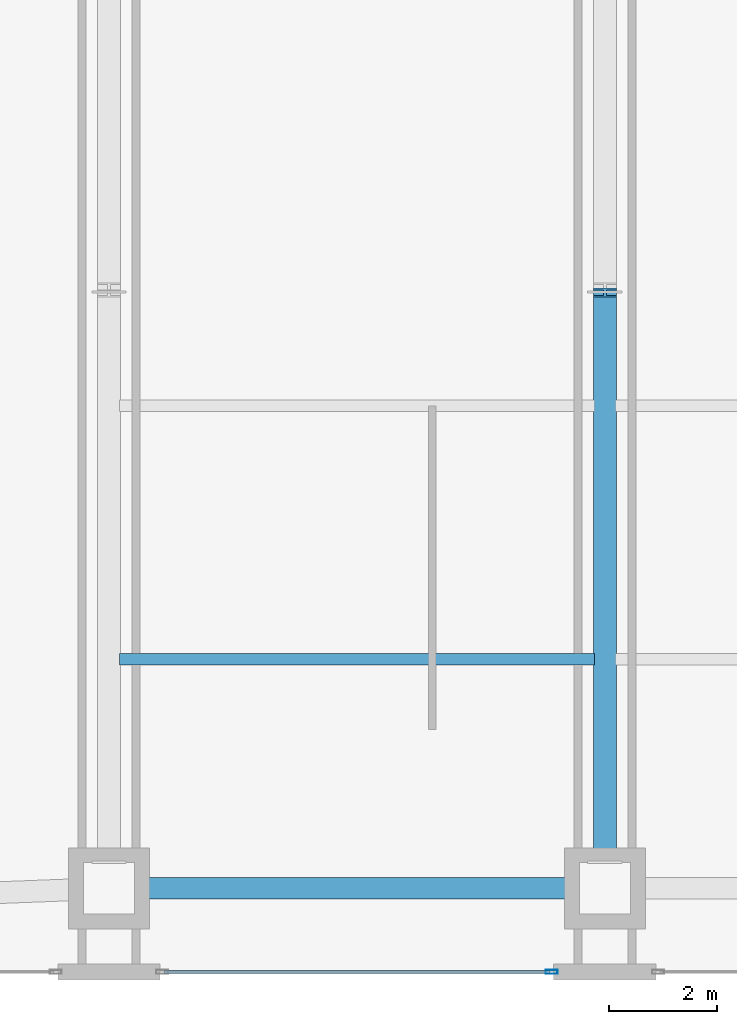
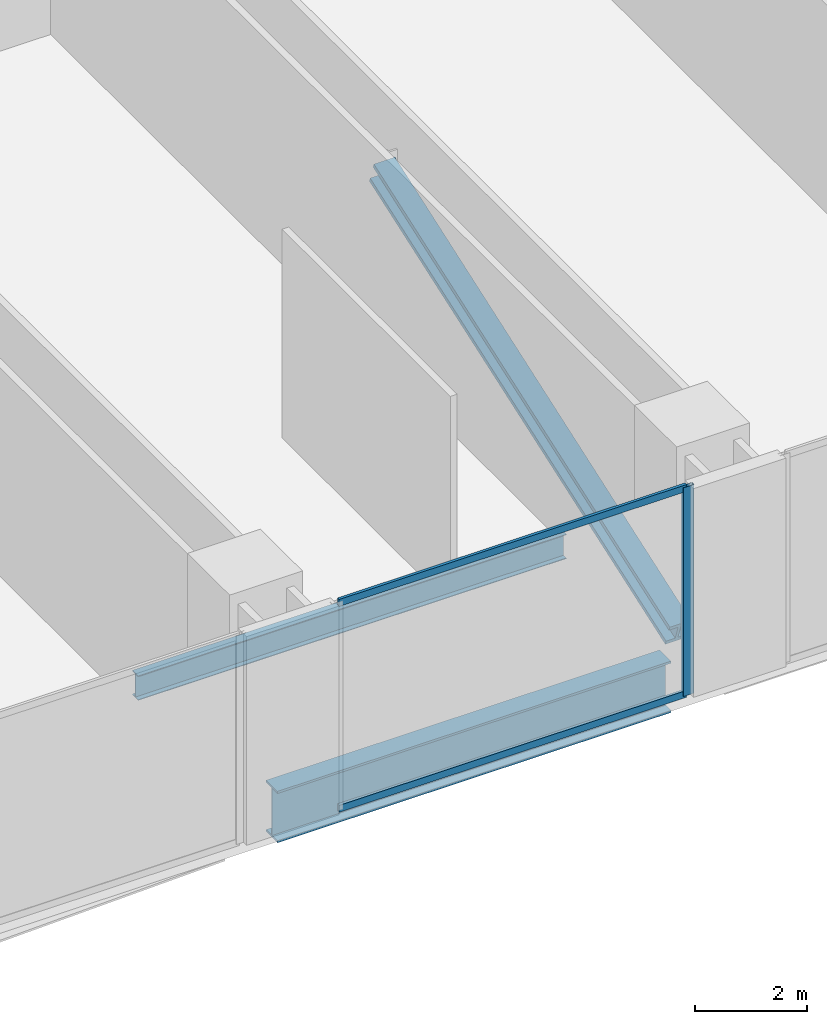
# One storey, part 5 of 33: 4 members, 2 beams, 1 element without a shape of its own.
"""IFC4 building model written with IfcOpenShell, lengths in metres."""

from ifc_helpers import new_model, si_unit, direction, frame, origin, origin_2d, place, context, subcontext, project, spatial, hollow_rectangle, i_section, extrude, material, layer, layer_set, material_profile, profile_set, type_object, element, aggregate, save


model = new_model("IFC4")

# Units and contexts
model_context = context("Model", 3, precision=1e-05, world=origin(), true_north=direction((0.0, 1.0)))
body_context = subcontext(model_context, "Body", "Model", "MODEL_VIEW")
ifc_project = project(units=[si_unit("LENGTHUNIT", "METRE"), si_unit("AREAUNIT", "SQUARE_METRE"), si_unit("VOLUMEUNIT", "CUBIC_METRE"), si_unit("PLANEANGLEUNIT", "RADIAN"), si_unit("MASSUNIT", "GRAM", prefix="KILO")], contexts=[model_context])

# Site, building, storey
site_placement = place(None, origin())
site = spatial("IfcSite", under=ifc_project, at=site_placement, CompositionType="ELEMENT")
building_placement = place(site_placement, origin())
building = spatial("IfcBuilding", under=site, at=building_placement, Name="Zuhayl Quay Hotel", CompositionType="ELEMENT")
storey_placement = place(building_placement, frame((0.0, 0.0, 18.0)))
storey = spatial("IfcBuildingStorey", under=building, at=storey_placement, Name="L03", CompositionType="ELEMENT", Elevation=18.0)

# Beams
ifc_material_1 = material(Name="Steel ASTM A992 Grade 50", Category="steel")
ifc_material_profile_1 = material_profile(ifc_material_1, i_section(OverallWidth=0.208984375, OverallDepth=0.532958984375, WebThickness=0.01025390625, FlangeThickness=0.015625, at=origin_2d()), Name="W21X62")
ifc_profile_set_1 = profile_set([ifc_material_profile_1], Name="Steel ASTM A992 Grade 50")
beam_type_1 = type_object("IfcBeamType", Name="BM_J1_W21X62", PredefinedType="JOIST", material=ifc_profile_set_1)
beam_1_placement = place(storey_placement, frame((-13.60595703125, -18.199951171875, -0.526611328125), z_axis=(1.0, 0.0, 0.0), x_axis=(0.0, 1.0, 0.0)))
element("IfcBeam", 1, at=beam_1_placement, inside=storey, type_object=beam_type_1, Name="L03 Floor Beam J_POD_L03_1_1", PredefinedType="JOIST", context=body_context, shape_type="SweptSolid", body=[
    extrude(i_section(OverallWidth=0.208984375, OverallDepth=0.532958984375, WebThickness=0.01025390625, FlangeThickness=0.015625, at=origin_2d()), origin(), (0.0, 0.0, 1.0), 8.81201171875),
])
ifc_material_2 = material(Name="Steel ASTM A913 Grade 65", Category="steel")
ifc_material_profile_2 = material_profile(ifc_material_2, i_section(OverallWidth=0.404052734375, OverallDepth=1.117919921875, WebThickness=0.026123046875, FlangeThickness=0.044921875, at=origin_2d()), Name="W44X335")
ifc_profile_set_2 = profile_set([ifc_material_profile_2], Name="Steel ASTM A913 Grade 65")
beam_type_2 = type_object("IfcBeamType", Name="BM_TG1_W44X335", PredefinedType="BEAM", material=ifc_profile_set_2)
beam_2_placement = place(storey_placement, frame((-13.25, -22.449951171875, -0.819091796875), z_axis=(1.0, 0.0, 0.0), x_axis=(0.0, 1.0, 0.0)))
element("IfcBeam", 2, at=beam_2_placement, inside=storey, type_object=beam_type_2, Name="L03 Floor Beam PG_S_L03_1", PredefinedType="BEAM", context=body_context, shape_type="SweptSolid", body=[
    extrude(i_section(OverallWidth=0.404052734375, OverallDepth=1.117919921875, WebThickness=0.026123046875, FlangeThickness=0.044921875, at=origin_2d()), origin(), (0.0, 0.0, 1.0), 8.10009765625),
])

# Curtain wall, members
ifc_material_3 = material(Name="Anodised Aluminium 6063-T6", Category="aluminium")
ifc_layer = layer(ifc_material_3, 0.199951171875, Name="Anodised Aluminium 6063-T6", Category="aluminium")
ifc_layer_set = layer_set([ifc_layer], Name="Anodised Aluminium 6063-T6")
curtain_wall_type = type_object("IfcCurtainWallType", Name="CW_SYS_POD", PredefinedType="USERDEFINED", material=ifc_layer_set)
curtain_wall_placement = place(storey_placement, origin())
curtain_wall = element("IfcCurtainWall", 3, at=curtain_wall_placement, inside=storey, type_object=curtain_wall_type, Name="L03 Curtain Wall ENV_L03_E11_CW4", ObjectType="UNITISED CURTAIN WALL", PredefinedType="USERDEFINED")
ifc_material_4 = material(Name="Black-anodised aluminium 6063-T6", Category="aluminium")
ifc_material_profile_3 = material_profile(ifc_material_4, hollow_rectangle(XDim=0.074951171875, YDim=0.219970703125, WallThickness=0.00390625, at=origin_2d()), Name="ALU220X75")
ifc_profile_set_3 = profile_set([ifc_material_profile_3], Name="Black-anodised aluminium 6063-T6")
member_type_1 = type_object("IfcMemberType", Name="MB_CW_MUL_220", PredefinedType="MULLION", material=ifc_profile_set_3)
member_1_placement = place(storey_placement, frame((-5.58740234375, -24.0, 0.0), z_axis=(0.0, 0.0, 1.0), x_axis=(0.0, -1.0, 0.0)))
member_1 = element("IfcMember", 4, at=member_1_placement, type_object=member_type_1, Name="CW-POD mullion 1", PredefinedType="MULLION", context=body_context, shape_type="SweptSolid", body=[
    extrude(hollow_rectangle(XDim=0.074951171875, YDim=0.219970703125, WallThickness=0.00390625, at=origin_2d()), origin(), (0.0, 0.0, 1.0), 4.5400390625),
])
ifc_material_profile_4 = material_profile(ifc_material_4, hollow_rectangle(XDim=0.06005859375, YDim=0.14990234375, WallThickness=0.00341796875, at=origin_2d()), Name="ALU150X60")
ifc_profile_set_4 = profile_set([ifc_material_profile_4], Name="Black-anodised aluminium 6063-T6")
member_type_2 = type_object("IfcMemberType", Name="MB_CW_TRN_150", PredefinedType="USERDEFINED", material=ifc_profile_set_4)
member_2_placement = place(storey_placement, frame((-5.625, -24.0, 0.030029296875), z_axis=(-1.0, 0.0, 0.0), x_axis=(0.0, -1.0, 0.0)))
member_2 = element("IfcMember", 5, at=member_2_placement, type_object=member_type_2, Name="CW-POD transom 1.1", ObjectType="TRANSOM", PredefinedType="USERDEFINED", context=body_context, shape_type="SweptSolid", body=[
    extrude(hollow_rectangle(XDim=0.06005859375, YDim=0.14990234375, WallThickness=0.00341796875, at=origin_2d()), origin(), (0.0, 0.0, 1.0), 7.14990234375),
])
member_3_placement = place(storey_placement, frame((-5.625, -24.0, 4.510009765625), z_axis=(-1.0, 0.0, 0.0), x_axis=(0.0, -1.0, 0.0)))
member_3 = element("IfcMember", 6, at=member_3_placement, type_object=member_type_2, Name="CW-POD transom 1.2", ObjectType="TRANSOM", PredefinedType="USERDEFINED", context=body_context, shape_type="SweptSolid", body=[
    extrude(hollow_rectangle(XDim=0.06005859375, YDim=0.14990234375, WallThickness=0.00341796875, at=origin_2d()), origin(), (0.0, 0.0, 1.0), 7.14990234375),
])
aggregate(curtain_wall, [member_1, member_2, member_3])

# Member
ifc_material_profile_5 = material_profile(ifc_material_2, i_section(OverallWidth=0.431884765625, OverallDepth=0.498046875, WebThickness=0.0556640625, FlangeThickness=0.0888671875, at=origin_2d()), Name="W14X500")
ifc_profile_set_5 = profile_set([ifc_material_profile_5], Name="Steel ASTM A913 Grade 65")
member_type_3 = type_object("IfcMemberType", Name="MB_TT_DIAG_500", PredefinedType="BRACE", material=ifc_profile_set_5)
member_4_placement = place(storey_placement, frame((-4.60009765625, -21.949951171875, -0.25), z_axis=(0.0, 0.944209030718, 0.32934678731), x_axis=(-1.0, 0.0, 0.0)))
element("IfcMember", 7, at=member_4_placement, inside=storey, type_object=member_type_3, Name="L03 Ballroom Transfer Truss TT1-2 Diagonal 1", PredefinedType="BRACE", context=body_context, shape_type="SweptSolid", body=[
    extrude(i_section(OverallWidth=0.431884765625, OverallDepth=0.498046875, WebThickness=0.0556640625, FlangeThickness=0.0888671875, at=origin_2d()), origin(), (0.0, 0.0, 1.0), 11.17333984375),
])

save(model, "model.ifc")
